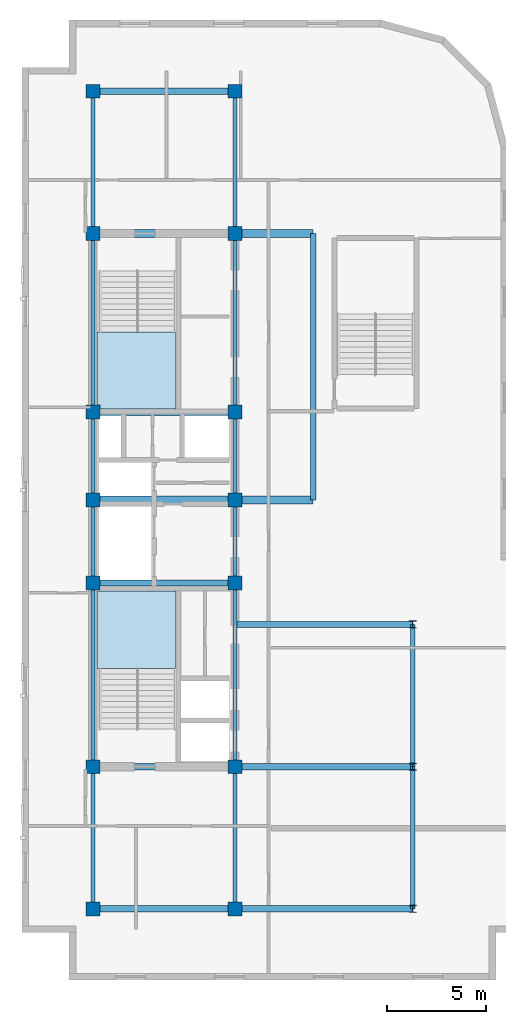
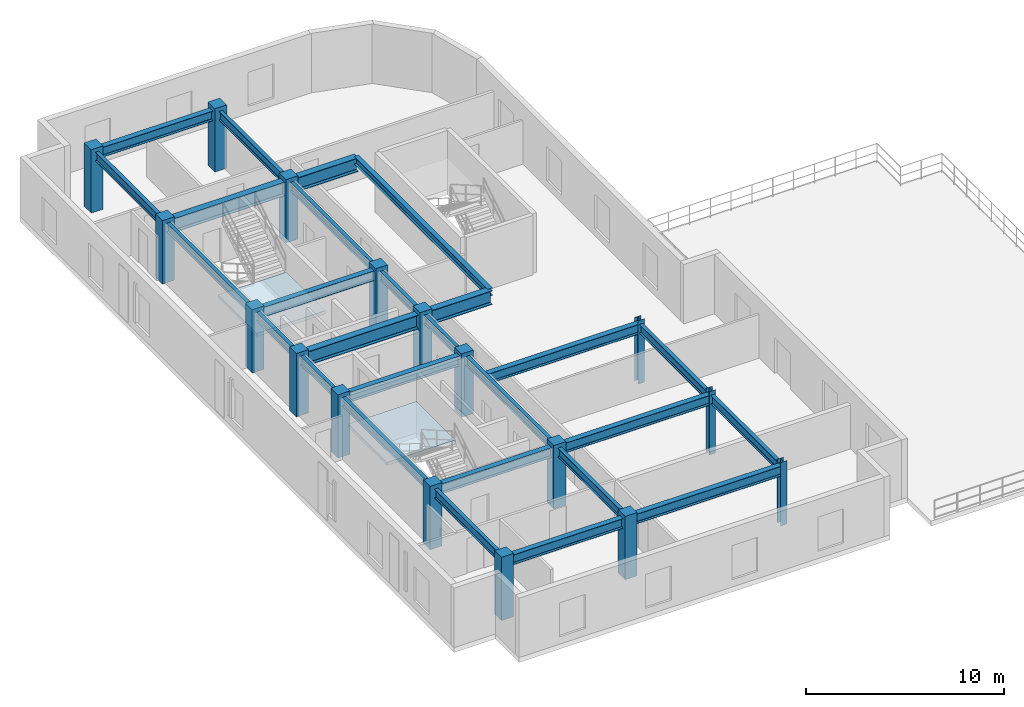
# One storey, part 1 of 7: 25 beams, 17 columns, 2 slabs, 2 elements without a shape of their own.
"""IFC4 building model written with IfcOpenShell, lengths in metres."""

from ifc_helpers import new_model, entity, si_unit, converted_unit, direction, frame, origin_with_axes, origin_2d_with_axis, place, context, subcontext, project, spatial, polyline, rectangle, i_section, outline, extrude, material, layer, layer_set, material_profile, profile_set, type_object, element, aggregate, save


model = new_model("IFC4")

# Units and contexts
model_context = context("Model", 3, precision=1e-05, world=origin_with_axes(), true_north=direction((0.0, 1.0)))
body_context = subcontext(model_context, "Body", "Model", "MODEL_VIEW")
ifc_project = project(units=[si_unit("LENGTHUNIT", "METRE"), si_unit("AREAUNIT", "SQUARE_METRE"), si_unit("VOLUMEUNIT", "CUBIC_METRE"), converted_unit("PLANEANGLEUNIT", "DEGREE", entity("IfcPlaneAngleMeasure", 0.017453292519943295), si_unit("PLANEANGLEUNIT", "RADIAN"), dimensions=[0, 0, 0, 0, 0, 0, 0]), si_unit("MASSUNIT", "GRAM", prefix="KILO"), si_unit("THERMODYNAMICTEMPERATUREUNIT", "KELVIN")], contexts=[model_context])

# Site, building, storey
site_placement = place(None, origin_with_axes())
site = spatial("IfcSite", under=ifc_project, at=site_placement, CompositionType="ELEMENT")
building_placement = place(site_placement, origin_with_axes())
building = spatial("IfcBuilding", under=site, at=building_placement, Name="Varnlund Millrace Tower", CompositionType="ELEMENT")
storey_placement = place(building_placement, frame((0.0, 0.0, 288.0), z_axis=(0.0, 0.0, 1.0), x_axis=(1.0, 0.0, 0.0)))
storey = spatial("IfcBuildingStorey", under=building, at=storey_placement, Name="L71", CompositionType="ELEMENT", Elevation=288.0)

# Columns
ifc_material_1 = material(Name="Steel ASTM A992 Grade 50", Category="steel")
ifc_material_profile_1 = material_profile(ifc_material_1, i_section(OverallWidth=0.369, OverallDepth=0.356, WebThickness=0.0112, FlangeThickness=0.018, FilletRadius=0.018, at=origin_2d_with_axis()), Name="Steel ASTM A992 Grade 50")
ifc_profile_set_1 = profile_set([ifc_material_profile_1], Name="Steel ASTM A992 Grade 50")
column_type_1 = type_object("IfcColumnType", Name="Type-Col-Int-W14X90", PredefinedType="COLUMN", material=ifc_profile_set_1)
for number, where, z_axis, x_axis, name in (
    (1, (27.6, 3.6, 0.0), (0.0, 0.0, 1.0), (1.0, 0.0, 0.0), "Type-Col-Int-W14X90"),
    (2, (27.6, 10.8, 0.0), (0.0, 0.0, 1.0), (1.0, 0.0, 0.0), "Type-Col-Int-W14X90"),
    (3, (27.6, 18.0, 0.0), (0.0, 0.0, 1.0), (1.0, 0.0, 0.0), "Type-Col-Int-W14X90"),
):
    element("IfcColumn", number, at=place(storey_placement, frame(where, z_axis=z_axis, x_axis=x_axis)), inside=storey, type_object=column_type_1, Name=name, PredefinedType="COLUMN", context=body_context, shape_type="SweptSolid", body=[
        extrude(i_section(OverallWidth=0.369, OverallDepth=0.356, WebThickness=0.0112, FlangeThickness=0.018, FilletRadius=0.018, at=origin_2d_with_axis()), origin_with_axes(), (0.0, 0.0, 1.0), 3.9),
    ])
ifc_material_2 = material(Name="Concrete C60/75", Category="concrete")
ifc_material_profile_2 = material_profile(ifc_material_2, rectangle(XDim=0.7, YDim=0.7, at=origin_2d_with_axis()), Name="Concrete C60/75")
ifc_profile_set_2 = profile_set([ifc_material_profile_2], Name="Concrete C60/75")
column_type_2 = type_object("IfcColumnType", Name="Type-Col-RC700-C60", PredefinedType="COLUMN", material=ifc_profile_set_2)
for number, where, z_axis, x_axis, name in (
    (4, (11.4, 3.6, 0.0), (0.0, 0.0, 1.0), (1.0, 0.0, 0.0), "Type-Col-RC700-C60"),
    (5, (11.4, 10.8, 0.0), (0.0, 0.0, 1.0), (1.0, 0.0, 0.0), "Type-Col-RC700-C60"),
    (6, (11.4, 20.1, 0.0), (0.0, 0.0, 1.0), (1.0, 0.0, 0.0), "Type-Col-RC700-C60"),
    (7, (11.4, 24.3, 0.0), (0.0, 0.0, 1.0), (1.0, 0.0, 0.0), "Type-Col-RC700-C60"),
    (8, (11.4, 28.75, 0.0), (0.0, 0.0, 1.0), (1.0, 0.0, 0.0), "Type-Col-RC700-C60"),
    (9, (11.4, 37.8, 0.0), (0.0, 0.0, 1.0), (1.0, 0.0, 0.0), "Type-Col-RC700-C60"),
    (10, (11.4, 45.0, 0.0), (0.0, 0.0, 1.0), (1.0, 0.0, 0.0), "Type-Col-RC700-C60"),
    (11, (18.6, 3.6, 0.0), (0.0, 0.0, 1.0), (1.0, 0.0, 0.0), "Type-Col-RC700-C60"),
    (12, (18.6, 10.8, 0.0), (0.0, 0.0, 1.0), (1.0, 0.0, 0.0), "Type-Col-RC700-C60"),
    (13, (18.6, 20.1, 0.0), (0.0, 0.0, 1.0), (1.0, 0.0, 0.0), "Type-Col-RC700-C60"),
    (14, (18.6, 24.3, 0.0), (0.0, 0.0, 1.0), (1.0, 0.0, 0.0), "Type-Col-RC700-C60"),
    (15, (18.6, 28.75, 0.0), (0.0, 0.0, 1.0), (1.0, 0.0, 0.0), "Type-Col-RC700-C60"),
    (16, (18.6, 37.8, 0.0), (0.0, 0.0, 1.0), (1.0, 0.0, 0.0), "Type-Col-RC700-C60"),
    (17, (18.6, 45.0, 0.0), (0.0, 0.0, 1.0), (1.0, 0.0, 0.0), "Type-Col-RC700-C60"),
):
    element("IfcColumn", number, at=place(storey_placement, frame(where, z_axis=z_axis, x_axis=x_axis)), inside=storey, type_object=column_type_2, Name=name, PredefinedType="COLUMN", context=body_context, shape_type="SweptSolid", body=[
        extrude(rectangle(XDim=0.7, YDim=0.7, at=origin_2d_with_axis()), origin_with_axes(), (0.0, 0.0, 1.0), 3.9),
    ])

# Beams
ifc_material_profile_3 = material_profile(ifc_material_1, i_section(OverallWidth=0.28, OverallDepth=0.463, WebThickness=0.0108, FlangeThickness=0.0173, FilletRadius=0.015, at=origin_2d_with_axis()), Name="Steel ASTM A992 Grade 50")
ifc_profile_set_3 = profile_set([ifc_material_profile_3], Name="Steel ASTM A992 Grade 50")
beam_type_1 = type_object("IfcBeamType", Name="Type-Beam-W18X76", PredefinedType="BEAM", material=ifc_profile_set_3)
beam_1_placement = place(storey_placement, frame((22.55, 24.3, 3.4285), z_axis=(0.0, 1.0, 0.0), x_axis=(-1.0, 0.0, 0.0)))
element("IfcBeam", 18, at=beam_1_placement, inside=storey, type_object=beam_type_1, Name="Type-Beam-W18X76", PredefinedType="BEAM", context=body_context, shape_type="SweptSolid", body=[
    extrude(i_section(OverallWidth=0.28, OverallDepth=0.463, WebThickness=0.0108, FlangeThickness=0.0173, FilletRadius=0.015, at=origin_2d_with_axis()), origin_with_axes(), (0.0, 0.0, 1.0), 13.5),
])
ifc_material_profile_4 = material_profile(ifc_material_1, i_section(OverallWidth=0.214, OverallDepth=0.549, WebThickness=0.0147, FlangeThickness=0.0236, FilletRadius=0.015, at=origin_2d_with_axis()), Name="Steel ASTM A992 Grade 50")
ifc_profile_set_4 = profile_set([ifc_material_profile_4], Name="Steel ASTM A992 Grade 50")
beam_type_2 = type_object("IfcBeamType", Name="Type-Beam-W21X93", PredefinedType="BEAM", material=ifc_profile_set_4)
beam_2_placement = place(storey_placement, frame((11.4, 3.6, 3.3855), z_axis=(0.0, 1.0, 0.0), x_axis=(-1.0, 0.0, 0.0)))
element("IfcBeam", 19, at=beam_2_placement, inside=storey, type_object=beam_type_2, Name="Type-Beam-W21X93", PredefinedType="BEAM", context=body_context, shape_type="SweptSolid", body=[
    extrude(i_section(OverallWidth=0.214, OverallDepth=0.549, WebThickness=0.0147, FlangeThickness=0.0236, FilletRadius=0.015, at=origin_2d_with_axis()), origin_with_axes(), (0.0, 0.0, 1.0), 7.2),
])
beam_3_placement = place(storey_placement, frame((11.4, 10.8, 3.3855), z_axis=(0.0, 1.0, 0.0), x_axis=(-1.0, 0.0, 0.0)))
element("IfcBeam", 20, at=beam_3_placement, inside=storey, type_object=beam_type_2, Name="Type-Beam-W21X93", PredefinedType="BEAM", context=body_context, shape_type="SweptSolid", body=[
    extrude(i_section(OverallWidth=0.214, OverallDepth=0.549, WebThickness=0.0147, FlangeThickness=0.0236, FilletRadius=0.015, at=origin_2d_with_axis()), origin_with_axes(), (0.0, 0.0, 1.0), 9.3),
])
beam_4_placement = place(storey_placement, frame((11.4, 20.1, 3.3855), z_axis=(0.0, 1.0, 0.0), x_axis=(-1.0, 0.0, 0.0)))
element("IfcBeam", 21, at=beam_4_placement, inside=storey, type_object=beam_type_2, Name="Type-Beam-W21X93", PredefinedType="BEAM", context=body_context, shape_type="SweptSolid", body=[
    extrude(i_section(OverallWidth=0.214, OverallDepth=0.549, WebThickness=0.0147, FlangeThickness=0.0236, FilletRadius=0.015, at=origin_2d_with_axis()), origin_with_axes(), (0.0, 0.0, 1.0), 4.2),
])
beam_5_placement = place(storey_placement, frame((11.4, 24.3, 3.3855), z_axis=(0.0, 1.0, 0.0), x_axis=(-1.0, 0.0, 0.0)))
element("IfcBeam", 22, at=beam_5_placement, inside=storey, type_object=beam_type_2, Name="Type-Beam-W21X93", PredefinedType="BEAM", context=body_context, shape_type="SweptSolid", body=[
    extrude(i_section(OverallWidth=0.214, OverallDepth=0.549, WebThickness=0.0147, FlangeThickness=0.0236, FilletRadius=0.015, at=origin_2d_with_axis()), origin_with_axes(), (0.0, 0.0, 1.0), 4.45),
])
beam_6_placement = place(storey_placement, frame((11.4, 28.75, 3.3855), z_axis=(0.0, 1.0, 0.0), x_axis=(-1.0, 0.0, 0.0)))
element("IfcBeam", 23, at=beam_6_placement, inside=storey, type_object=beam_type_2, Name="Type-Beam-W21X93", PredefinedType="BEAM", context=body_context, shape_type="SweptSolid", body=[
    extrude(i_section(OverallWidth=0.214, OverallDepth=0.549, WebThickness=0.0147, FlangeThickness=0.0236, FilletRadius=0.015, at=origin_2d_with_axis()), origin_with_axes(), (0.0, 0.0, 1.0), 9.05),
])
for number, where, z_axis, x_axis, name in (
    (24, (11.4, 37.8, 3.3855), (0.0, 1.0, 0.0), (-1.0, 0.0, 0.0), "Type-Beam-W21X93"),
    (25, (18.6, 3.6, 3.3855), (0.0, 1.0, 0.0), (-1.0, 0.0, 0.0), "Type-Beam-W21X93"),
):
    element("IfcBeam", number, at=place(storey_placement, frame(where, z_axis=z_axis, x_axis=x_axis)), inside=storey, type_object=beam_type_2, Name=name, PredefinedType="BEAM", context=body_context, shape_type="SweptSolid", body=[
        extrude(i_section(OverallWidth=0.214, OverallDepth=0.549, WebThickness=0.0147, FlangeThickness=0.0236, FilletRadius=0.015, at=origin_2d_with_axis()), origin_with_axes(), (0.0, 0.0, 1.0), 7.2),
    ])
beam_7_placement = place(storey_placement, frame((18.6, 10.8, 3.3855), z_axis=(0.0, 1.0, 0.0), x_axis=(-1.0, 0.0, 0.0)))
element("IfcBeam", 26, at=beam_7_placement, inside=storey, type_object=beam_type_2, Name="Type-Beam-W21X93", PredefinedType="BEAM", context=body_context, shape_type="SweptSolid", body=[
    extrude(i_section(OverallWidth=0.214, OverallDepth=0.549, WebThickness=0.0147, FlangeThickness=0.0236, FilletRadius=0.015, at=origin_2d_with_axis()), origin_with_axes(), (0.0, 0.0, 1.0), 9.3),
])
beam_8_placement = place(storey_placement, frame((18.6, 20.1, 3.3855), z_axis=(0.0, 1.0, 0.0), x_axis=(-1.0, 0.0, 0.0)))
element("IfcBeam", 27, at=beam_8_placement, inside=storey, type_object=beam_type_2, Name="Type-Beam-W21X93", PredefinedType="BEAM", context=body_context, shape_type="SweptSolid", body=[
    extrude(i_section(OverallWidth=0.214, OverallDepth=0.549, WebThickness=0.0147, FlangeThickness=0.0236, FilletRadius=0.015, at=origin_2d_with_axis()), origin_with_axes(), (0.0, 0.0, 1.0), 4.2),
])
beam_9_placement = place(storey_placement, frame((18.6, 24.3, 3.3855), z_axis=(0.0, 1.0, 0.0), x_axis=(-1.0, 0.0, 0.0)))
element("IfcBeam", 28, at=beam_9_placement, inside=storey, type_object=beam_type_2, Name="Type-Beam-W21X93", PredefinedType="BEAM", context=body_context, shape_type="SweptSolid", body=[
    extrude(i_section(OverallWidth=0.214, OverallDepth=0.549, WebThickness=0.0147, FlangeThickness=0.0236, FilletRadius=0.015, at=origin_2d_with_axis()), origin_with_axes(), (0.0, 0.0, 1.0), 4.45),
])
beam_10_placement = place(storey_placement, frame((18.6, 28.75, 3.3855), z_axis=(0.0, 1.0, 0.0), x_axis=(-1.0, 0.0, 0.0)))
element("IfcBeam", 29, at=beam_10_placement, inside=storey, type_object=beam_type_2, Name="Type-Beam-W21X93", PredefinedType="BEAM", context=body_context, shape_type="SweptSolid", body=[
    extrude(i_section(OverallWidth=0.214, OverallDepth=0.549, WebThickness=0.0147, FlangeThickness=0.0236, FilletRadius=0.015, at=origin_2d_with_axis()), origin_with_axes(), (0.0, 0.0, 1.0), 9.05),
])
for number, where, z_axis, x_axis, name in (
    (30, (18.6, 37.8, 3.3855), (0.0, 1.0, 0.0), (-1.0, 0.0, 0.0), "Type-Beam-W21X93"),
    (31, (27.6, 3.6, 3.3855), (0.0, 1.0, 0.0), (-1.0, 0.0, 0.0), "Type-Beam-W21X93"),
    (32, (27.6, 10.8, 3.3855), (0.0, 1.0, 0.0), (-1.0, 0.0, 0.0), "Type-Beam-W21X93"),
):
    element("IfcBeam", number, at=place(storey_placement, frame(where, z_axis=z_axis, x_axis=x_axis)), inside=storey, type_object=beam_type_2, Name=name, PredefinedType="BEAM", context=body_context, shape_type="SweptSolid", body=[
        extrude(i_section(OverallWidth=0.214, OverallDepth=0.549, WebThickness=0.0147, FlangeThickness=0.0236, FilletRadius=0.015, at=origin_2d_with_axis()), origin_with_axes(), (0.0, 0.0, 1.0), 7.2),
    ])
ifc_material_profile_5 = material_profile(ifc_material_1, i_section(OverallWidth=0.324, OverallDepth=0.611, WebThickness=0.0127, FlangeThickness=0.0191, FilletRadius=0.016, at=origin_2d_with_axis()), Name="Steel ASTM A992 Grade 50")
ifc_profile_set_5 = profile_set([ifc_material_profile_5], Name="Steel ASTM A992 Grade 50")
beam_type_3 = type_object("IfcBeamType", Name="Type-Girder-W24X104", PredefinedType="USERDEFINED", material=ifc_profile_set_5)
beam_11_placement = place(storey_placement, frame((11.4, 3.6, 3.3545), z_axis=(1.0, 0.0, 0.0), x_axis=(0.0, 1.0, 0.0)))
element("IfcBeam", 33, at=beam_11_placement, inside=storey, type_object=beam_type_3, Name="Type-Girder-W24X104", ObjectType="GIRDER", PredefinedType="USERDEFINED", context=body_context, shape_type="SweptSolid", body=[
    extrude(i_section(OverallWidth=0.324, OverallDepth=0.611, WebThickness=0.0127, FlangeThickness=0.0191, FilletRadius=0.016, at=origin_2d_with_axis()), origin_with_axes(), (0.0, 0.0, 1.0), 7.2),
])
beam_12_placement = place(storey_placement, frame((18.6, 3.6, 3.3545), z_axis=(1.0, 0.0, 0.0), x_axis=(0.0, 1.0, 0.0)))
element("IfcBeam", 34, at=beam_12_placement, inside=storey, type_object=beam_type_3, Name="Type-Girder-W24X104", ObjectType="GIRDER", PredefinedType="USERDEFINED", context=body_context, shape_type="SweptSolid", body=[
    extrude(i_section(OverallWidth=0.324, OverallDepth=0.611, WebThickness=0.0127, FlangeThickness=0.0191, FilletRadius=0.016, at=origin_2d_with_axis()), origin_with_axes(), (0.0, 0.0, 1.0), 9.0),
])
beam_13_placement = place(storey_placement, frame((11.4, 10.8, 3.3545), z_axis=(1.0, 0.0, 0.0), x_axis=(0.0, 1.0, 0.0)))
element("IfcBeam", 35, at=beam_13_placement, inside=storey, type_object=beam_type_3, Name="Type-Girder-W24X104", ObjectType="GIRDER", PredefinedType="USERDEFINED", context=body_context, shape_type="SweptSolid", body=[
    extrude(i_section(OverallWidth=0.324, OverallDepth=0.611, WebThickness=0.0127, FlangeThickness=0.0191, FilletRadius=0.016, at=origin_2d_with_axis()), origin_with_axes(), (0.0, 0.0, 1.0), 7.2),
])
for number, where, z_axis, x_axis, name in (
    (36, (18.6, 10.8, 3.3545), (1.0, 0.0, 0.0), (0.0, 1.0, 0.0), "Type-Girder-W24X104"),
    (37, (18.6, 18.0, 3.3545), (1.0, 0.0, 0.0), (0.0, 1.0, 0.0), "Type-Girder-W24X104"),
):
    element("IfcBeam", number, at=place(storey_placement, frame(where, z_axis=z_axis, x_axis=x_axis)), inside=storey, type_object=beam_type_3, Name=name, ObjectType="GIRDER", PredefinedType="USERDEFINED", context=body_context, shape_type="SweptSolid", body=[
        extrude(i_section(OverallWidth=0.324, OverallDepth=0.611, WebThickness=0.0127, FlangeThickness=0.0191, FilletRadius=0.016, at=origin_2d_with_axis()), origin_with_axes(), (0.0, 0.0, 1.0), 9.0),
    ])
for number, where, z_axis, x_axis, name in (
    (38, (11.4, 20.1, 3.3545), (1.0, 0.0, 0.0), (0.0, 1.0, 0.0), "Type-Girder-W24X104"),
    (39, (11.4, 28.75, 3.3545), (1.0, 0.0, 0.0), (0.0, 1.0, 0.0), "Type-Girder-W24X104"),
    (40, (11.4, 45.0, 3.3545), (1.0, 0.0, 0.0), (0.0, 1.0, 0.0), "Type-Girder-W24X104"),
):
    element("IfcBeam", number, at=place(storey_placement, frame(where, z_axis=z_axis, x_axis=x_axis)), inside=storey, type_object=beam_type_3, Name=name, ObjectType="GIRDER", PredefinedType="USERDEFINED", context=body_context, shape_type="SweptSolid", body=[
        extrude(i_section(OverallWidth=0.324, OverallDepth=0.611, WebThickness=0.0127, FlangeThickness=0.0191, FilletRadius=0.016, at=origin_2d_with_axis()), origin_with_axes(), (0.0, 0.0, 1.0), 7.2),
    ])
ifc_material_profile_6 = material_profile(ifc_material_1, i_section(OverallWidth=0.399, OverallDepth=0.855, WebThickness=0.0182, FlangeThickness=0.0292, FilletRadius=0.022, at=origin_2d_with_axis()), Name="Steel ASTM A992 Grade 50")
ifc_profile_set_6 = profile_set([ifc_material_profile_6], Name="Steel ASTM A992 Grade 50")
beam_type_4 = type_object("IfcBeamType", Name="Type-Girder-W33X201", PredefinedType="USERDEFINED", material=ifc_profile_set_6)
for number, where, z_axis, x_axis, name in (
    (41, (11.4, 24.3, 3.2325), (1.0, 0.0, 0.0), (0.0, 1.0, 0.0), "Type-Girder-W33X201"),
    (42, (11.4, 37.8, 3.2325), (1.0, 0.0, 0.0), (0.0, 1.0, 0.0), "Type-Girder-W33X201"),
):
    element("IfcBeam", number, at=place(storey_placement, frame(where, z_axis=z_axis, x_axis=x_axis)), inside=storey, type_object=beam_type_4, Name=name, ObjectType="GIRDER", PredefinedType="USERDEFINED", context=body_context, shape_type="SweptSolid", body=[
        extrude(i_section(OverallWidth=0.399, OverallDepth=0.855, WebThickness=0.0182, FlangeThickness=0.0292, FilletRadius=0.022, at=origin_2d_with_axis()), origin_with_axes(), (0.0, 0.0, 1.0), 11.15),
    ])

# Stair, slab
ifc_material_3 = material(Name="Concrete C50/60", Category="concrete")
stair_type = type_object("IfcStairType", Name="Type-Stair-Dogleg-185-390", PredefinedType="HALF_TURN_STAIR", material=ifc_material_3)
stair_1_placement = place(storey_placement, origin_with_axes())
stair_1 = element("IfcStair", 43, at=stair_1_placement, inside=storey, type_object=stair_type, Name="Type-Stair-Dogleg-185-390", PredefinedType="HALF_TURN_STAIR")
ifc_layer = layer(ifc_material_3, 0.2, Name="Concrete C50/60")
ifc_layer_set = layer_set([ifc_layer], Name="Concrete C50/60")
slab_type = type_object("IfcSlabType", Name="Type-StairLanding-200", PredefinedType="LANDING", material=ifc_layer_set)
slab_1_placement = place(storey_placement, frame((0.0, 0.0, 1.75), z_axis=(0.0, 0.0, 1.0), x_axis=(1.0, 0.0, 0.0)))
slab_1 = element("IfcSlab", 44, at=slab_1_placement, type_object=slab_type, Name="ST-A1 landing 1", PredefinedType="LANDING", context=body_context, shape_type="SweptSolid", body=[
    extrude(outline(polyline([(15.6, 15.78), (15.6, 19.7), (11.61, 19.7), (11.61, 15.78), (15.6, 15.78)])), origin_with_axes(), (0.0, 0.0, 1.0), 0.2),
])
aggregate(stair_1, [slab_1])

stair_2_placement = place(storey_placement, origin_with_axes())
stair_2 = element("IfcStair", 45, at=stair_2_placement, inside=storey, type_object=stair_type, Name="Type-Stair-Dogleg-185-390", PredefinedType="HALF_TURN_STAIR")
slab_2_placement = place(storey_placement, frame((0.0, 0.0, 1.75), z_axis=(0.0, 0.0, 1.0), x_axis=(1.0, 0.0, 0.0)))
slab_2 = element("IfcSlab", 46, at=slab_2_placement, type_object=slab_type, Name="ST-A2 landing 1", PredefinedType="LANDING", context=body_context, shape_type="SweptSolid", body=[
    extrude(outline(polyline([(11.61, 32.82), (11.61, 28.9), (15.6, 28.9), (15.6, 32.82), (11.61, 32.82)])), origin_with_axes(), (0.0, 0.0, 1.0), 0.2),
])
aggregate(stair_2, [slab_2])

save(model, "model.ifc")
